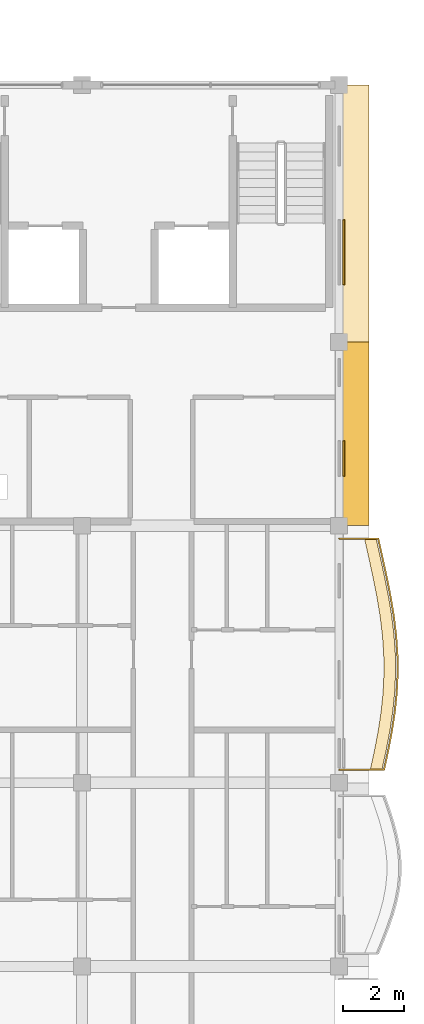
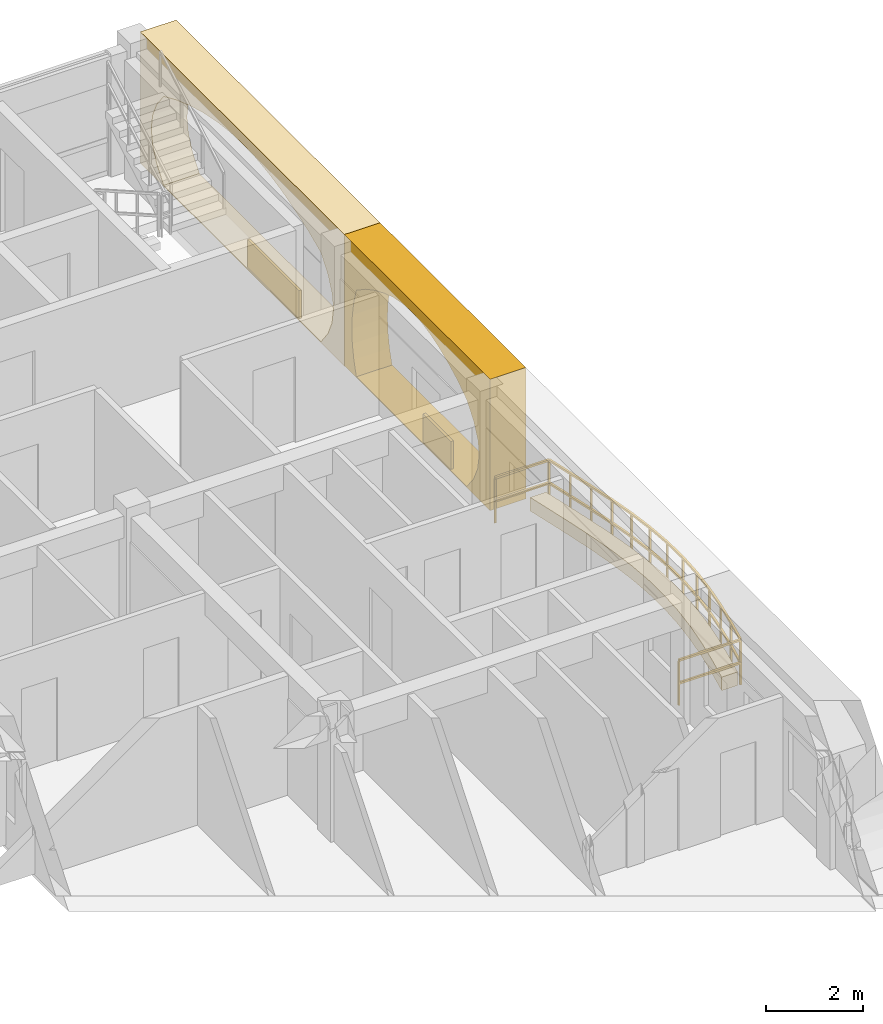
# One storey, part 59 of 59: 5 coverings, 1 railing.
"""IFC4 building model written with IfcOpenShell, lengths in metres."""

from ifc_helpers import new_model, si_unit, direction, frame, origin, origin_2d, place, context, subcontext, project, spatial, polyline, rectangle, outline, extrude, material, layer, layer_set, type_object, element, save


model = new_model("IFC4")

# Units and contexts
model_context = context("Model", 3, precision=1e-05, world=origin(), true_north=direction((0.0, 1.0)))
body_context = subcontext(model_context, "Body", "Model", "MODEL_VIEW")
ifc_project = project(units=[si_unit("LENGTHUNIT", "METRE"), si_unit("AREAUNIT", "SQUARE_METRE"), si_unit("VOLUMEUNIT", "CUBIC_METRE"), si_unit("PLANEANGLEUNIT", "RADIAN"), si_unit("MASSUNIT", "GRAM", prefix="KILO"), si_unit("THERMODYNAMICTEMPERATUREUNIT", "KELVIN")], contexts=[model_context])

# Site, building, storey
site_placement = place(None, origin())
site = spatial("IfcSite", under=ifc_project, at=site_placement, CompositionType="ELEMENT")
building_placement = place(site_placement, origin())
building = spatial("IfcBuilding", under=site, at=building_placement, Name="Thalorik Housing Commons", CompositionType="ELEMENT")
storey_placement = place(building_placement, frame((0.0, 0.0, 27.89990234375)))
storey = spatial("IfcBuildingStorey", under=building, at=storey_placement, Name="L08", CompositionType="ELEMENT", Elevation=27.89990234375)

# Coverings
ifc_material_1 = material(Name="Precast concrete C40/50", Category="concrete")
ifc_layer_1 = layer(ifc_material_1, 0.85009765625, Name="Precast concrete C40/50", Category="concrete")
ifc_layer_set_1 = layer_set([ifc_layer_1], Name="Precast concrete C40/50")
covering_type_1 = type_object("IfcCoveringType", Name="ARC-CLD-CUSH-850", PredefinedType="CLADDING", material=ifc_layer_set_1)
covering_1_placement = place(storey_placement, frame((167.347412109375, 112.199951171875, 0.0), z_axis=(0.0, 0.0, 1.0), x_axis=(0.0, 1.0, 0.0)))
element("IfcCovering", 1, at=covering_1_placement, inside=storey, type_object=covering_type_1, Name="L08 White Precast Curved Cushion Bay Frame 2704", PredefinedType="CLADDING", context=body_context, shape_type="SweptSolid", body=[
    extrude(outline(polyline([(-3.0, 0.0), (3.0, 0.0), (3.0, 3.300048828125), (-3.0, 3.300048828125), (-3.0, 0.0)]), holes=[polyline([(2.5048828125, 0.02490234375), (2.609619140625, 0.387451171875), (2.672119140625, 0.75), (2.693115234375, 1.112548828125), (2.672119140625, 1.47509765625), (2.609619140625, 1.83740234375), (2.5048828125, 2.199951171875), (2.126220703125, 2.455810546875), (1.74755859375, 2.656494140625), (1.36865234375, 2.819091796875), (0.989990234375, 2.940185546875), (0.611083984375, 3.014892578125), (0.232421875, 3.0400390625), (-0.146240234375, 3.014892578125), (-0.52490234375, 2.940185546875), (-0.90380859375, 2.819091796875), (-1.282470703125, 2.656494140625), (-1.6611328125, 2.455810546875), (-2.0400390625, 2.199951171875), (-2.3232421875, 1.83740234375), (-2.493408203125, 1.47509765625), (-2.550048828125, 1.112548828125), (-2.493408203125, 0.75), (-2.3232421875, 0.387451171875), (-2.0400390625, 0.02490234375), (2.5048828125, 0.02490234375)])]), frame((0.0, 0.425048828125, 0.0), z_axis=(0.0, -1.0, 0.0), x_axis=(1.0, 0.0, 0.0)), (0.0, 0.0, 1.0), 0.85009765625),
])
covering_2_placement = place(storey_placement, frame((167.347412109375, 119.39990234375, 0.0), z_axis=(0.0, 0.0, 1.0), x_axis=(0.0, 1.0, 0.0)))
element("IfcCovering", 2, at=covering_2_placement, inside=storey, type_object=covering_type_1, Name="L08 White Precast Curved Cushion Bay Frame 2706", PredefinedType="CLADDING", context=body_context, shape_type="SweptSolid", body=[
    extrude(outline(polyline([(-4.199951171875, 0.0), (4.199951171875, 0.0), (4.199951171875, 3.300048828125), (-4.199951171875, 3.300048828125), (-4.199951171875, 0.0)]), holes=[polyline([(3.239990234375, 0.02490234375), (3.523193359375, 0.3974609375), (3.693359375, 0.77001953125), (3.75, 1.142578125), (3.693359375, 1.514892578125), (3.523193359375, 1.887451171875), (3.239990234375, 2.260009765625), (2.699951171875, 2.497314453125), (2.159912109375, 2.683837890625), (1.6201171875, 2.8349609375), (1.080078125, 2.947265625), (0.5400390625, 3.0166015625), (0.0, 3.0400390625), (-0.5400390625, 3.0166015625), (-1.080078125, 2.947265625), (-1.6201171875, 2.8349609375), (-2.159912109375, 2.683837890625), (-2.699951171875, 2.497314453125), (-3.239990234375, 2.260009765625), (-3.523193359375, 1.887451171875), (-3.693359375, 1.514892578125), (-3.75, 1.142578125), (-3.693359375, 0.77001953125), (-3.523193359375, 0.3974609375), (-3.239990234375, 0.02490234375), (3.239990234375, 0.02490234375)])]), frame((0.0, 0.425048828125, 0.0), z_axis=(0.0, -1.0, 0.0), x_axis=(1.0, 0.0, 0.0)), (0.0, 0.0, 1.0), 0.85009765625),
])
ifc_material_2 = material(Name="Terracotta red mineral fibre-cement panel", Category="masonry")
ifc_layer_2 = layer(ifc_material_2, 0.054931640625, Name="Terracotta red mineral fibre-cement panel", Category="masonry")
ifc_layer_set_2 = layer_set([ifc_layer_2], Name="Terracotta red mineral fibre-cement panel")
covering_type_2 = type_object("IfcCoveringType", Name="ARC-CLD-RED-55", PredefinedType="CLADDING", material=ifc_layer_set_2)
covering_3_placement = place(storey_placement, frame((166.955078125, 118.13134765625, 0.05029296875), z_axis=(0.0, 0.0, 1.0), x_axis=(0.0, 1.0, 0.0)))
element("IfcCovering", 3, at=covering_3_placement, inside=storey, type_object=covering_type_2, Name="L08 De Stijl Recessed Window Spandrel 2707", PredefinedType="CLADDING", context=body_context, shape_type="SweptSolid", body=[
    extrude(rectangle(XDim=2.1201171875, YDim=0.054931640625, at=origin_2d()), origin(), (0.0, 0.0, 1.0), 0.699951171875),
])
ifc_material_3 = material(Name="Mineral ochre architectural terracotta panel", Category="masonry")
ifc_layer_3 = layer(ifc_material_3, 0.06494140625, Name="Mineral ochre architectural terracotta panel", Category="masonry")
ifc_layer_set_3 = layer_set([ifc_layer_3], Name="Mineral ochre architectural terracotta panel")
covering_type_3 = type_object("IfcCoveringType", Name="ARC-CLD-YEL-65", PredefinedType="CLADDING", material=ifc_layer_set_3)
covering_4_placement = place(storey_placement, frame((166.9599609375, 111.39501953125, 0.05029296875), z_axis=(0.0, 0.0, 1.0), x_axis=(0.0, 1.0, 0.0)))
element("IfcCovering", 4, at=covering_4_placement, inside=storey, type_object=covering_type_3, Name="L08 De Stijl Recessed Window Spandrel 2705", PredefinedType="CLADDING", context=body_context, shape_type="SweptSolid", body=[
    extrude(rectangle(XDim=1.14990234375, YDim=0.06494140625, at=origin_2d()), origin(), (0.0, 0.0, 1.0), 0.699951171875),
])
ifc_material_4 = material(Name="Planted vegetated substrate and terracotta trough", Category="masonry")
ifc_layer_4 = layer(ifc_material_4, 0.340087890625, Name="Planted vegetated substrate and terracotta trough", Category="masonry")
ifc_layer_set_4 = layer_set([ifc_layer_4], Name="Planted vegetated substrate and terracotta trough")
covering_type_4 = type_object("IfcCoveringType", Name="ARC-COV-PLANTER", PredefinedType="USERDEFINED", material=ifc_layer_set_4)
covering_5_placement = place(storey_placement, origin())
element("IfcCovering", 5, at=covering_5_placement, inside=storey, type_object=covering_type_4, Name="L08 Balcony Slab-Edge Planted Trough 5525", ObjectType="PLANTER", PredefinedType="USERDEFINED", context=body_context, shape_type="SweptSolid", body=[
    extrude(outline(polyline([(168.19873046875, 101.219970703125), (168.3359375, 101.85009765625), (168.456298828125, 102.47998046875), (168.552001953125, 103.110107421875), (168.61669921875, 103.739990234375), (168.64599609375, 104.3701171875), (168.638671875, 105.0), (168.5947265625, 105.6298828125), (168.517822265625, 106.260009765625), (168.4130859375, 106.889892578125), (168.2880859375, 107.52001953125), (168.150634765625, 108.14990234375), (168.010498046875, 108.780029296875), (167.630615234375, 108.780029296875), (167.770751953125, 108.14990234375), (167.907958984375, 107.52001953125), (168.033203125, 106.889892578125), (168.137939453125, 106.260009765625), (168.21484375, 105.6298828125), (168.258544921875, 105.0), (168.26611328125, 104.3701171875), (168.236572265625, 103.739990234375), (168.171875, 103.110107421875), (168.076171875, 102.47998046875), (167.955810546875, 101.85009765625), (167.81884765625, 101.219970703125), (168.19873046875, 101.219970703125)])), origin(), (0.0, 0.0, 1.0), 0.340087890625),
])

# Railing
ifc_material_5 = material(Name="Steel S355", Category="steel")
railing_type = type_object("IfcRailingType", Name="ARC-RL-BAL-115", PredefinedType="BALUSTRADE", material=ifc_material_5)
railing_placement = place(storey_placement, frame((166.800048828125, 101.219970703125, 0.0)))
element("IfcRailing", 6, at=railing_placement, inside=storey, type_object=railing_type, Name="L08 Cushion Balcony Guardrail 209", PredefinedType="BALUSTRADE", context=body_context, shape_type="SweptSolid", body=[
    extrude(rectangle(XDim=0.050048828125, YDim=0.050048828125, at=origin_2d()), frame((0.0, 0.0, 1.125), z_axis=(1.0, 0.0, 0.0), x_axis=(0.0, 1.0, 0.0)), (0.0, 0.0, 1.0), 1.46875),
    extrude(rectangle(XDim=0.050048828125, YDim=0.050048828125, at=origin_2d()), frame((0.0, 0.0, 0.5498046875), z_axis=(1.0, 0.0, 0.0), x_axis=(0.0, 1.0, 0.0)), (0.0, 0.0, 1.0), 1.46875),
    extrude(rectangle(XDim=0.050048828125, YDim=0.050048828125, at=origin_2d()), frame((1.46875, 0.0, 1.125), z_axis=(0.212759690317, 0.97710455642, 0.0), x_axis=(-0.97710455642, 0.212759690317, 0.0)), (0.0, 0.0, 1.0), 0.644775390625),
    extrude(rectangle(XDim=0.050048828125, YDim=0.050048828125, at=origin_2d()), frame((1.46875, 0.0, 0.5498046875), z_axis=(0.212759690317, 0.97710455642, 0.0), x_axis=(-0.97710455642, 0.212759690317, 0.0)), (0.0, 0.0, 1.0), 0.644775390625),
    extrude(rectangle(XDim=0.050048828125, YDim=0.050048828125, at=origin_2d()), frame((1.60595703125, 0.630126953125, 1.125), z_axis=(0.187322049875, 0.982298554224, 0.0), x_axis=(-0.982298554224, 0.187322049875, 0.0)), (0.0, 0.0, 1.0), 0.64111328125),
    extrude(rectangle(XDim=0.050048828125, YDim=0.050048828125, at=origin_2d()), frame((1.60595703125, 0.630126953125, 0.5498046875), z_axis=(0.187322049875, 0.982298554224, 0.0), x_axis=(-0.982298554224, 0.187322049875, 0.0)), (0.0, 0.0, 1.0), 0.64111328125),
    extrude(rectangle(XDim=0.050048828125, YDim=0.050048828125, at=origin_2d()), frame((1.72607421875, 1.260009765625, 1.125), z_axis=(0.150157133099, 0.988662144203, 0.0), x_axis=(-0.988662144203, 0.150157133099, 0.0)), (0.0, 0.0, 1.0), 0.637451171875),
    extrude(rectangle(XDim=0.050048828125, YDim=0.050048828125, at=origin_2d()), frame((1.72607421875, 1.260009765625, 0.5498046875), z_axis=(0.150157133099, 0.988662144203, 0.0), x_axis=(-0.988662144203, 0.150157133099, 0.0)), (0.0, 0.0, 1.0), 0.637451171875),
    extrude(rectangle(XDim=0.050048828125, YDim=0.050048828125, at=origin_2d()), frame((1.82177734375, 1.89013671875, 1.125), z_axis=(0.102175616173, 0.994766376321, 0.0), x_axis=(-0.994766376321, 0.102175616173, 0.0)), (0.0, 0.0, 1.0), 0.63330078125),
    extrude(rectangle(XDim=0.050048828125, YDim=0.050048828125, at=origin_2d()), frame((1.82177734375, 1.89013671875, 0.5498046875), z_axis=(0.102175616173, 0.994766376321, 0.0), x_axis=(-0.994766376321, 0.102175616173, 0.0)), (0.0, 0.0, 1.0), 0.63330078125),
    extrude(rectangle(XDim=0.050048828125, YDim=0.050048828125, at=origin_2d()), frame((1.886474609375, 2.52001953125, 1.125), z_axis=(0.046829620253, 0.99890289151, 0.0), x_axis=(-0.99890289151, 0.046829620253, 0.0)), (0.0, 0.0, 1.0), 0.630859375),
    extrude(rectangle(XDim=0.050048828125, YDim=0.050048828125, at=origin_2d()), frame((1.886474609375, 2.52001953125, 0.5498046875), z_axis=(0.046829620253, 0.99890289151, 0.0), x_axis=(-0.99890289151, 0.046829620253, 0.0)), (0.0, 0.0, 1.0), 0.630859375),
    extrude(rectangle(XDim=0.050048828125, YDim=0.050048828125, at=origin_2d()), frame((1.916015625, 3.150146484375, 1.125), z_axis=(-0.012014636617, 0.999927821649, 0.0), x_axis=(-0.999927821649, -0.012014636617, 0.0)), (0.0, 0.0, 1.0), 0.6298828125),
    extrude(rectangle(XDim=0.050048828125, YDim=0.050048828125, at=origin_2d()), frame((1.916015625, 3.150146484375, 0.5498046875), z_axis=(-0.012014636617, 0.999927821649, 0.0), x_axis=(-0.999927821649, -0.012014636617, 0.0)), (0.0, 0.0, 1.0), 0.6298828125),
    extrude(rectangle(XDim=0.050048828125, YDim=0.050048828125, at=origin_2d()), frame((1.908447265625, 3.780029296875, 1.125), z_axis=(-0.069213463264, 0.997601872744, 0.0), x_axis=(-0.997601872744, -0.069213463264, 0.0)), (0.0, 0.0, 1.0), 0.63134765625),
    extrude(rectangle(XDim=0.050048828125, YDim=0.050048828125, at=origin_2d()), frame((1.908447265625, 3.780029296875, 0.5498046875), z_axis=(-0.069213463264, 0.997601872744, 0.0), x_axis=(-0.997601872744, -0.069213463264, 0.0)), (0.0, 0.0, 1.0), 0.63134765625),
    extrude(rectangle(XDim=0.050048828125, YDim=0.050048828125, at=origin_2d()), frame((1.86474609375, 4.409912109375, 1.125), z_axis=(-0.121146803357, 0.99263460147, 0.0), x_axis=(-0.99263460147, -0.121146803357, 0.0)), (0.0, 0.0, 1.0), 0.634765625),
    extrude(rectangle(XDim=0.050048828125, YDim=0.050048828125, at=origin_2d()), frame((1.86474609375, 4.409912109375, 0.5498046875), z_axis=(-0.121146803357, 0.99263460147, 0.0), x_axis=(-0.99263460147, -0.121146803357, 0.0)), (0.0, 0.0, 1.0), 0.634765625),
    extrude(rectangle(XDim=0.050048828125, YDim=0.050048828125, at=origin_2d()), frame((1.787841796875, 5.0400390625, 1.125), z_axis=(-0.164026962091, 0.986455855934, 0.0), x_axis=(-0.986455855934, -0.164026962091, 0.0)), (0.0, 0.0, 1.0), 0.638427734375),
    extrude(rectangle(XDim=0.050048828125, YDim=0.050048828125, at=origin_2d()), frame((1.787841796875, 5.0400390625, 0.5498046875), z_axis=(-0.164026962091, 0.986455855934, 0.0), x_axis=(-0.986455855934, -0.164026962091, 0.0)), (0.0, 0.0, 1.0), 0.638427734375),
    extrude(rectangle(XDim=0.050048828125, YDim=0.050048828125, at=origin_2d()), frame((1.68310546875, 5.669921875, 1.125), z_axis=(-0.194946724608, 0.980813832776, 0.0), x_axis=(-0.980813832776, -0.194946724608, 0.0)), (0.0, 0.0, 1.0), 0.642333984375),
    extrude(rectangle(XDim=0.050048828125, YDim=0.050048828125, at=origin_2d()), frame((1.68310546875, 5.669921875, 0.5498046875), z_axis=(-0.194946724608, 0.980813832776, 0.0), x_axis=(-0.980813832776, -0.194946724608, 0.0)), (0.0, 0.0, 1.0), 0.642333984375),
    extrude(rectangle(XDim=0.050048828125, YDim=0.050048828125, at=origin_2d()), frame((1.557861328125, 6.300048828125, 1.125), z_axis=(-0.212838420324, 0.977087410027, 0.0), x_axis=(-0.977087410027, -0.212838420324, 0.0)), (0.0, 0.0, 1.0), 0.644775390625),
    extrude(rectangle(XDim=0.050048828125, YDim=0.050048828125, at=origin_2d()), frame((1.557861328125, 6.300048828125, 0.5498046875), z_axis=(-0.212838420324, 0.977087410027, 0.0), x_axis=(-0.977087410027, -0.212838420324, 0.0)), (0.0, 0.0, 1.0), 0.644775390625),
    extrude(rectangle(XDim=0.050048828125, YDim=0.050048828125, at=origin_2d()), frame((1.420654296875, 6.929931640625, 1.125), z_axis=(-0.217090636553, 0.976151451119, 0.0), x_axis=(-0.976151451119, -0.217090636553, 0.0)), (0.0, 0.0, 1.0), 0.6455078125),
    extrude(rectangle(XDim=0.050048828125, YDim=0.050048828125, at=origin_2d()), frame((1.420654296875, 6.929931640625, 0.5498046875), z_axis=(-0.217090636553, 0.976151451119, 0.0), x_axis=(-0.976151451119, -0.217090636553, 0.0)), (0.0, 0.0, 1.0), 0.6455078125),
    extrude(rectangle(XDim=0.050048828125, YDim=0.050048828125, at=origin_2d()), frame((1.280517578125, 7.56005859375, 1.125), z_axis=(-1.0, 0.0, 0.0), x_axis=(0.0, -1.0, 0.0)), (0.0, 0.0, 1.0), 1.280517578125),
    extrude(rectangle(XDim=0.050048828125, YDim=0.050048828125, at=origin_2d()), frame((1.280517578125, 7.56005859375, 0.5498046875), z_axis=(-1.0, 0.0, 0.0), x_axis=(0.0, -1.0, 0.0)), (0.0, 0.0, 1.0), 1.280517578125),
    extrude(rectangle(XDim=0.0419921875, YDim=0.0419921875, at=origin_2d()), origin(), (0.0, 0.0, 1.0), 1.099853515625),
    extrude(rectangle(XDim=0.0419921875, YDim=0.0419921875, at=origin_2d()), frame((1.46875, 0.0, 0.0)), (0.0, 0.0, 1.0), 1.099853515625),
    extrude(rectangle(XDim=0.0419921875, YDim=0.0419921875, at=origin_2d()), frame((1.60595703125, 0.630126953125, 0.0)), (0.0, 0.0, 1.0), 1.099853515625),
    extrude(rectangle(XDim=0.0419921875, YDim=0.0419921875, at=origin_2d()), frame((1.72607421875, 1.260009765625, 0.0)), (0.0, 0.0, 1.0), 1.099853515625),
    extrude(rectangle(XDim=0.0419921875, YDim=0.0419921875, at=origin_2d()), frame((1.82177734375, 1.89013671875, 0.0)), (0.0, 0.0, 1.0), 1.099853515625),
    extrude(rectangle(XDim=0.0419921875, YDim=0.0419921875, at=origin_2d()), frame((1.886474609375, 2.52001953125, 0.0)), (0.0, 0.0, 1.0), 1.099853515625),
    extrude(rectangle(XDim=0.0419921875, YDim=0.0419921875, at=origin_2d()), frame((1.916015625, 3.150146484375, 0.0)), (0.0, 0.0, 1.0), 1.099853515625),
    extrude(rectangle(XDim=0.0419921875, YDim=0.0419921875, at=origin_2d()), frame((1.908447265625, 3.780029296875, 0.0)), (0.0, 0.0, 1.0), 1.099853515625),
    extrude(rectangle(XDim=0.0419921875, YDim=0.0419921875, at=origin_2d()), frame((1.86474609375, 4.409912109375, 0.0)), (0.0, 0.0, 1.0), 1.099853515625),
    extrude(rectangle(XDim=0.0419921875, YDim=0.0419921875, at=origin_2d()), frame((1.787841796875, 5.0400390625, 0.0)), (0.0, 0.0, 1.0), 1.099853515625),
    extrude(rectangle(XDim=0.0419921875, YDim=0.0419921875, at=origin_2d()), frame((1.68310546875, 5.669921875, 0.0)), (0.0, 0.0, 1.0), 1.099853515625),
    extrude(rectangle(XDim=0.0419921875, YDim=0.0419921875, at=origin_2d()), frame((1.557861328125, 6.300048828125, 0.0)), (0.0, 0.0, 1.0), 1.099853515625),
    extrude(rectangle(XDim=0.0419921875, YDim=0.0419921875, at=origin_2d()), frame((1.420654296875, 6.929931640625, 0.0)), (0.0, 0.0, 1.0), 1.099853515625),
    extrude(rectangle(XDim=0.0419921875, YDim=0.0419921875, at=origin_2d()), frame((1.280517578125, 7.56005859375, 0.0)), (0.0, 0.0, 1.0), 1.099853515625),
    extrude(rectangle(XDim=0.0419921875, YDim=0.0419921875, at=origin_2d()), frame((0.0, 7.56005859375, 0.0)), (0.0, 0.0, 1.0), 1.099853515625),
])

save(model, "model.ifc")
